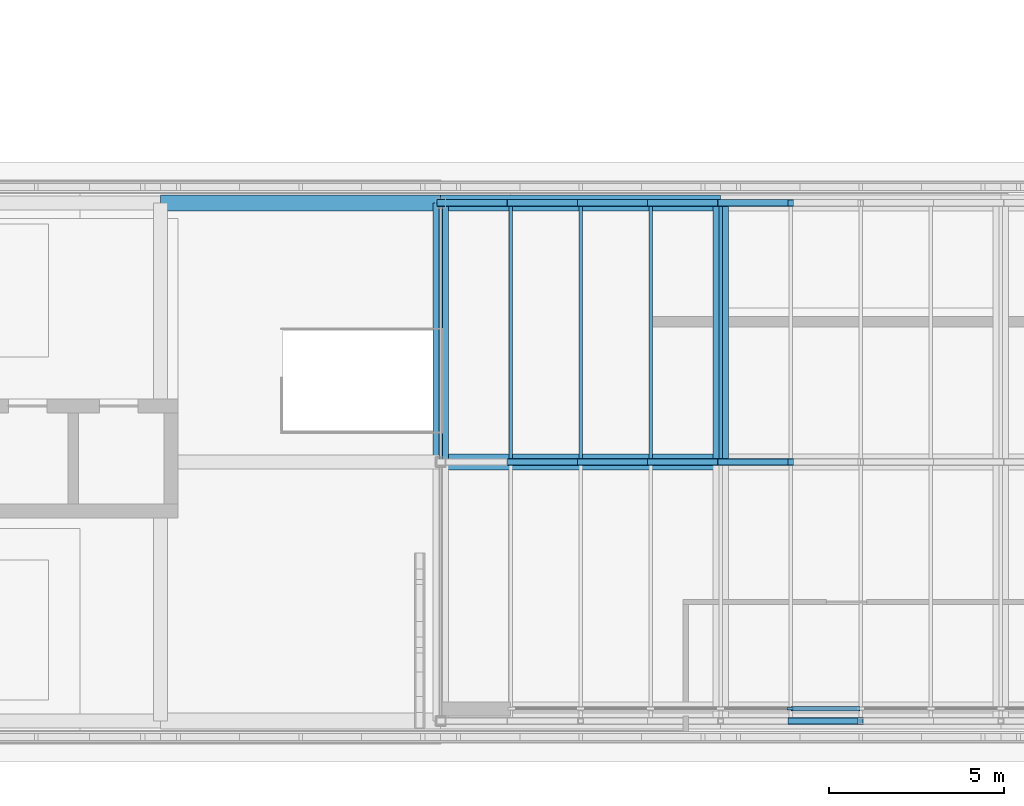
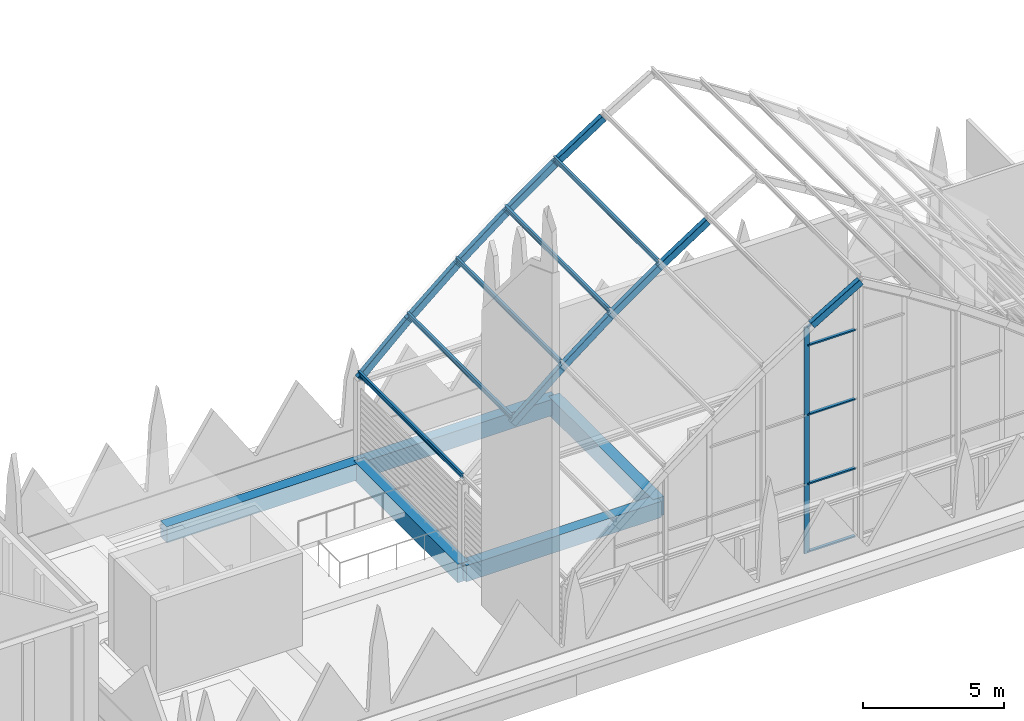
# One storey, part 4 of 18: 21 members, 5 beams, 1 element without a shape of its own.
"""IFC4 building model written with IfcOpenShell, lengths in metres."""

from ifc_helpers import new_model, si_unit, direction, frame, origin, origin_2d, place, context, subcontext, project, spatial, rectangle, hollow_rectangle, i_section, extrude, material, layer, layer_set, material_profile, profile_set, type_object, element, aggregate, save


model = new_model("IFC4")

# Units and contexts
model_context = context("Model", 3, precision=1e-05, world=origin(), true_north=direction((0.0, 1.0)))
body_context = subcontext(model_context, "Body", "Model", "MODEL_VIEW")
ifc_project = project(units=[si_unit("LENGTHUNIT", "METRE"), si_unit("AREAUNIT", "SQUARE_METRE"), si_unit("VOLUMEUNIT", "CUBIC_METRE"), si_unit("PLANEANGLEUNIT", "RADIAN"), si_unit("MASSUNIT", "GRAM", prefix="KILO")], contexts=[model_context])

# Site, building, storey
site_placement = place(None, origin())
site = spatial("IfcSite", under=ifc_project, at=site_placement, CompositionType="ELEMENT")
building_placement = place(site_placement, origin())
building = spatial("IfcBuilding", under=site, at=building_placement, Name="Lantern Court Media Centre", CompositionType="ELEMENT")
storey_placement = place(building_placement, frame((0.0, 0.0, 33.60009765625)))
storey = spatial("IfcBuildingStorey", under=building, at=storey_placement, Name="R00", CompositionType="ELEMENT", Elevation=33.60009765625)

# Curtain wall, members
ifc_material_1 = material(Name="Aluminium and glass", Category="aluminium")
ifc_layer = layer(ifc_material_1, 0.14990234375)
ifc_layer_set = layer_set([ifc_layer], Name="Aluminium and glass")
curtain_wall_type = type_object("IfcCurtainWallType", Name="Hall lancet glazing", PredefinedType="NOTDEFINED", material=ifc_layer_set)
curtain_wall_placement = place(storey_placement, origin())
curtain_wall = element("IfcCurtainWall", 1, at=curtain_wall_placement, inside=storey, type_object=curtain_wall_type, Name="Terrace pavilion HCW-V30 glazing", PredefinedType="NOTDEFINED")
ifc_material_2 = material(Name="Aluminium, anodised", Category="aluminium")
ifc_material_profile_1 = material_profile(ifc_material_2, rectangle(XDim=0.06005859375, YDim=0.199951171875, at=origin_2d()), Name="HM")
ifc_profile_set_1 = profile_set([ifc_material_profile_1], Name="Aluminium, anodised")
member_type_1 = type_object("IfcMemberType", Name="HM", PredefinedType="MULLION", material=ifc_profile_set_1)
member_1_placement = place(storey_placement, frame((50.0, 42.949951171875, 1.199951171875), z_axis=(0.0, 0.0, 1.0), x_axis=(0.0, 1.0, 0.0)))
member_1 = element("IfcMember", 2, at=member_1_placement, type_object=member_type_1, Name="HCW-V30 mullion 5", PredefinedType="MULLION", context=body_context, shape_type="SweptSolid", body=[
    extrude(rectangle(XDim=0.06005859375, YDim=0.199951171875, at=origin_2d()), origin(), (0.0, 0.0, 1.0), 9.8076171875),
])
ifc_material_profile_2 = material_profile(ifc_material_2, rectangle(XDim=0.1201171875, YDim=0.06005859375, at=origin_2d()), Name="HT")
ifc_profile_set_2 = profile_set([ifc_material_profile_2], Name="Aluminium, anodised")
member_type_2 = type_object("IfcMemberType", Name="HT", PredefinedType="USERDEFINED", material=ifc_profile_set_2)
member_2_placement = place(storey_placement, frame((50.030029296875, 42.949951171875, 1.260009765625), z_axis=(1.0, 0.0, 0.0), x_axis=(0.0, 1.0, 0.0)))
member_2 = element("IfcMember", 3, at=member_2_placement, type_object=member_type_2, Name="HCW-V30 transom 5.1", ObjectType="TRANSOM", PredefinedType="USERDEFINED", context=body_context, shape_type="SweptSolid", body=[
    extrude(rectangle(XDim=0.1201171875, YDim=0.06005859375, at=origin_2d()), origin(), (0.0, 0.0, 1.0), 1.93994140625),
])
member_3_placement = place(storey_placement, frame((50.030029296875, 42.949951171875, 4.199951171875), z_axis=(1.0, 0.0, 0.0), x_axis=(0.0, 1.0, 0.0)))
member_3 = element("IfcMember", 4, at=member_3_placement, type_object=member_type_2, Name="HCW-V30 transom 5.2", ObjectType="TRANSOM", PredefinedType="USERDEFINED", context=body_context, shape_type="SweptSolid", body=[
    extrude(rectangle(XDim=0.1201171875, YDim=0.06005859375, at=origin_2d()), origin(), (0.0, 0.0, 1.0), 1.93994140625),
])
member_4_placement = place(storey_placement, frame((50.030029296875, 42.949951171875, 7.199951171875), z_axis=(1.0, 0.0, 0.0), x_axis=(0.0, 1.0, 0.0)))
member_4 = element("IfcMember", 5, at=member_4_placement, type_object=member_type_2, Name="HCW-V30 transom 5.3", ObjectType="TRANSOM", PredefinedType="USERDEFINED", context=body_context, shape_type="SweptSolid", body=[
    extrude(rectangle(XDim=0.1201171875, YDim=0.06005859375, at=origin_2d()), origin(), (0.0, 0.0, 1.0), 1.93994140625),
])
member_5_placement = place(storey_placement, frame((50.030029296875, 42.949951171875, 10.199951171875), z_axis=(1.0, 0.0, 0.0), x_axis=(0.0, 1.0, 0.0)))
member_5 = element("IfcMember", 6, at=member_5_placement, type_object=member_type_2, Name="HCW-V30 transom 5.4", ObjectType="TRANSOM", PredefinedType="USERDEFINED", context=body_context, shape_type="SweptSolid", body=[
    extrude(rectangle(XDim=0.1201171875, YDim=0.06005859375, at=origin_2d()), origin(), (0.0, 0.0, 1.0), 1.93994140625),
])
member_6_placement = place(storey_placement, frame((50.030029296875, 42.949951171875, 10.96630859375), z_axis=(0.858948802878, 0.0, 0.512061474859), x_axis=(0.0, 1.0, 0.0)))
member_6 = element("IfcMember", 7, at=member_6_placement, type_object=member_type_2, Name="HCW-V30 head member 5", ObjectType="TRANSOM", PredefinedType="USERDEFINED", context=body_context, shape_type="SweptSolid", body=[
    extrude(rectangle(XDim=0.1201171875, YDim=0.06005859375, at=origin_2d()), origin(), (0.0, 0.0, 1.0), 2.258544921875),
])
aggregate(curtain_wall, [member_1, member_2, member_3, member_4, member_5, member_6])

# Members
ifc_material_3 = material(Name="Steel S355J2 (EN 10025-2)", Category="steel")
ifc_material_profile_3 = material_profile(ifc_material_3, hollow_rectangle(XDim=0.199951171875, YDim=0.300048828125, WallThickness=0.010009765625, InnerFilletRadius=0.010009765625, OuterFilletRadius=0.014892578125, at=origin_2d()), Name="Pavilion arch RHS 300x200x10")
ifc_profile_set_3 = profile_set([ifc_material_profile_3], Name="Steel S355J2 (EN 10025-2)")
member_type_3 = type_object("IfcMemberType", Name="Pavilion arch RHS 300x200x10", PredefinedType="RAFTER", material=ifc_profile_set_3)
member_7_placement = place(storey_placement, frame((50.0, 42.60009765625, 11.3076171875), z_axis=(0.858932784057, 0.0, 0.512088344401), x_axis=(0.0, 1.0, 0.0)))
element("IfcMember", 8, at=member_7_placement, inside=storey, type_object=member_type_3, Name="Pavilion arch 1 segment 6", PredefinedType="RAFTER", context=body_context, shape_type="SweptSolid", body=[
    extrude(hollow_rectangle(XDim=0.199951171875, YDim=0.300048828125, WallThickness=0.010009765625, InnerFilletRadius=0.010009765625, OuterFilletRadius=0.014892578125, at=origin_2d()), origin(), (0.0, 0.0, 1.0), 2.328369140625),
])
member_8_placement = place(storey_placement, frame((42.0, 50.0, 5.3486328125), z_axis=(0.763785766205, 0.0, 0.645469831474), x_axis=(0.0, 1.0, 0.0)))
element("IfcMember", 9, at=member_8_placement, inside=storey, type_object=member_type_3, Name="Pavilion arch 2 segment 2", PredefinedType="RAFTER", context=body_context, shape_type="SweptSolid", body=[
    extrude(hollow_rectangle(XDim=0.199951171875, YDim=0.300048828125, WallThickness=0.010009765625, InnerFilletRadius=0.010009765625, OuterFilletRadius=0.014892578125, at=origin_2d()), origin(), (0.0, 0.0, 1.0), 2.61865234375),
])
member_9_placement = place(storey_placement, frame((44.0, 50.0, 7.038818359375), z_axis=(0.790779474833, 0.0, 0.612101153554), x_axis=(0.0, 1.0, 0.0)))
element("IfcMember", 10, at=member_9_placement, inside=storey, type_object=member_type_3, Name="Pavilion arch 2 segment 3", PredefinedType="RAFTER", context=body_context, shape_type="SweptSolid", body=[
    extrude(hollow_rectangle(XDim=0.199951171875, YDim=0.300048828125, WallThickness=0.010009765625, InnerFilletRadius=0.010009765625, OuterFilletRadius=0.014892578125, at=origin_2d()), origin(), (0.0, 0.0, 1.0), 2.529052734375),
])
member_10_placement = place(storey_placement, frame((46.0, 50.0, 8.5869140625), z_axis=(0.815538972935, 0.0, 0.578702154501), x_axis=(0.0, 1.0, 0.0)))
element("IfcMember", 11, at=member_10_placement, inside=storey, type_object=member_type_3, Name="Pavilion arch 2 segment 4", PredefinedType="RAFTER", context=body_context, shape_type="SweptSolid", body=[
    extrude(hollow_rectangle(XDim=0.199951171875, YDim=0.300048828125, WallThickness=0.010009765625, InnerFilletRadius=0.010009765625, OuterFilletRadius=0.014892578125, at=origin_2d()), origin(), (0.0, 0.0, 1.0), 2.452392578125),
])
member_11_placement = place(storey_placement, frame((48.0, 50.0, 10.006103515625), z_axis=(0.838153638931, 0.0, 0.5454342101), x_axis=(0.0, 1.0, 0.0)))
element("IfcMember", 12, at=member_11_placement, inside=storey, type_object=member_type_3, Name="Pavilion arch 2 segment 5", PredefinedType="RAFTER", context=body_context, shape_type="SweptSolid", body=[
    extrude(hollow_rectangle(XDim=0.199951171875, YDim=0.300048828125, WallThickness=0.010009765625, InnerFilletRadius=0.010009765625, OuterFilletRadius=0.014892578125, at=origin_2d()), origin(), (0.0, 0.0, 1.0), 2.38623046875),
])
member_12_placement = place(storey_placement, frame((40.0, 57.39990234375, 3.5), z_axis=(0.73434962729, 0.0, 0.678771408428), x_axis=(0.0, 1.0, 0.0)))
element("IfcMember", 13, at=member_12_placement, inside=storey, type_object=member_type_3, Name="Pavilion arch 3 segment 1", PredefinedType="RAFTER", context=body_context, shape_type="SweptSolid", body=[
    extrude(hollow_rectangle(XDim=0.199951171875, YDim=0.300048828125, WallThickness=0.010009765625, InnerFilletRadius=0.010009765625, OuterFilletRadius=0.014892578125, at=origin_2d()), origin(), (0.0, 0.0, 1.0), 2.723388671875),
])
member_13_placement = place(storey_placement, frame((42.0, 57.39990234375, 5.3486328125), z_axis=(0.763785766205, 0.0, 0.645469831474), x_axis=(0.0, 1.0, 0.0)))
element("IfcMember", 14, at=member_13_placement, inside=storey, type_object=member_type_3, Name="Pavilion arch 3 segment 2", PredefinedType="RAFTER", context=body_context, shape_type="SweptSolid", body=[
    extrude(hollow_rectangle(XDim=0.199951171875, YDim=0.300048828125, WallThickness=0.010009765625, InnerFilletRadius=0.010009765625, OuterFilletRadius=0.014892578125, at=origin_2d()), origin(), (0.0, 0.0, 1.0), 2.61865234375),
])
member_14_placement = place(storey_placement, frame((44.0, 57.39990234375, 7.038818359375), z_axis=(0.790779474833, 0.0, 0.612101153554), x_axis=(0.0, 1.0, 0.0)))
element("IfcMember", 15, at=member_14_placement, inside=storey, type_object=member_type_3, Name="Pavilion arch 3 segment 3", PredefinedType="RAFTER", context=body_context, shape_type="SweptSolid", body=[
    extrude(hollow_rectangle(XDim=0.199951171875, YDim=0.300048828125, WallThickness=0.010009765625, InnerFilletRadius=0.010009765625, OuterFilletRadius=0.014892578125, at=origin_2d()), origin(), (0.0, 0.0, 1.0), 2.529052734375),
])
member_15_placement = place(storey_placement, frame((46.0, 57.39990234375, 8.5869140625), z_axis=(0.815538972935, 0.0, 0.578702154501), x_axis=(0.0, 1.0, 0.0)))
element("IfcMember", 16, at=member_15_placement, inside=storey, type_object=member_type_3, Name="Pavilion arch 3 segment 4", PredefinedType="RAFTER", context=body_context, shape_type="SweptSolid", body=[
    extrude(hollow_rectangle(XDim=0.199951171875, YDim=0.300048828125, WallThickness=0.010009765625, InnerFilletRadius=0.010009765625, OuterFilletRadius=0.014892578125, at=origin_2d()), origin(), (0.0, 0.0, 1.0), 2.452392578125),
])
member_16_placement = place(storey_placement, frame((48.0, 57.39990234375, 10.006103515625), z_axis=(0.838153638931, 0.0, 0.5454342101), x_axis=(0.0, 1.0, 0.0)))
element("IfcMember", 17, at=member_16_placement, inside=storey, type_object=member_type_3, Name="Pavilion arch 3 segment 5", PredefinedType="RAFTER", context=body_context, shape_type="SweptSolid", body=[
    extrude(hollow_rectangle(XDim=0.199951171875, YDim=0.300048828125, WallThickness=0.010009765625, InnerFilletRadius=0.010009765625, OuterFilletRadius=0.014892578125, at=origin_2d()), origin(), (0.0, 0.0, 1.0), 2.38623046875),
])
ifc_material_profile_4 = material_profile(ifc_material_3, i_section(OverallWidth=0.10009765625, OverallDepth=0.199951171875, WebThickness=0.005615234375, FlangeThickness=0.008544921875, FilletRadius=0.011962890625, at=origin_2d()), Name="IPE 200")
ifc_profile_set_4 = profile_set([ifc_material_profile_4], Name="Steel S355J2 (EN 10025-2)")
member_type_4 = type_object("IfcMemberType", Name="Pavilion purlin IPE 200", PredefinedType="PURLIN", material=ifc_profile_set_4)
for number, where, z_axis, x_axis, name in (
    (18, (40.0, 50.0, 3.75), (0.0, 1.0, 0.0), (-1.0, 0.0, 0.0), "Pavilion purlin 1-2"),
    (19, (42.0, 50.0, 5.5986328125), (0.0, 1.0, 0.0), (-1.0, 0.0, 0.0), "Pavilion purlin 2-2"),
    (20, (44.0, 50.0, 7.288818359375), (0.0, 1.0, 0.0), (-1.0, 0.0, 0.0), "Pavilion purlin 3-2"),
    (21, (46.0, 50.0, 8.8369140625), (0.0, 1.0, 0.0), (-1.0, 0.0, 0.0), "Pavilion purlin 4-2"),
    (22, (48.0, 50.0, 10.256103515625), (0.0, 1.0, 0.0), (-1.0, 0.0, 0.0), "Pavilion purlin 5-2"),
):
    element("IfcMember", number, at=place(storey_placement, frame(where, z_axis=z_axis, x_axis=x_axis)), inside=storey, type_object=member_type_4, Name=name, PredefinedType="PURLIN", context=body_context, shape_type="SweptSolid", body=[
        extrude(i_section(OverallWidth=0.10009765625, OverallDepth=0.199951171875, WebThickness=0.005615234375, FlangeThickness=0.008544921875, FilletRadius=0.011962890625, at=origin_2d()), origin(), (0.0, 0.0, 1.0), 7.39990234375),
    ])

# Beams
ifc_material_4 = material(Name="Concrete C35", Category="concrete")
ifc_material_profile_5 = material_profile(ifc_material_4, rectangle(XDim=0.449951171875, YDim=0.699951171875, at=origin_2d()), Name="RC 450x700")
ifc_profile_set_5 = profile_set([ifc_material_profile_5], Name="Concrete C35")
beam_type_1 = type_object("IfcBeamType", Name="RC BEAM 450x700", PredefinedType="BEAM", material=ifc_profile_set_5)
for number, where, z_axis, x_axis, name in (
    (23, (40.0, 50.0, -0.35009765625), (1.0, 0.0, 0.0), (0.0, 1.0, 0.0), "LB-S-R00-1-2"),
    (24, (32.0, 57.39990234375, -0.35009765625), (1.0, 0.0, 0.0), (0.0, 1.0, 0.0), "LB-S-R00-2-1"),
    (25, (40.0, 57.39990234375, -0.35009765625), (1.0, 0.0, 0.0), (0.0, 1.0, 0.0), "LB-S-R00-2-2"),
):
    element("IfcBeam", number, at=place(storey_placement, frame(where, z_axis=z_axis, x_axis=x_axis)), inside=storey, type_object=beam_type_1, Name=name, PredefinedType="BEAM", context=body_context, shape_type="SweptSolid", body=[
        extrude(rectangle(XDim=0.449951171875, YDim=0.699951171875, at=origin_2d()), origin(), (0.0, 0.0, 1.0), 8.0),
    ])
ifc_material_profile_6 = material_profile(ifc_material_4, rectangle(XDim=0.449951171875, YDim=0.800048828125, at=origin_2d()), Name="RC 450x800")
ifc_profile_set_6 = profile_set([ifc_material_profile_6], Name="Concrete C35")
beam_type_2 = type_object("IfcBeamType", Name="RC BEAM 450x800", PredefinedType="BEAM", material=ifc_profile_set_6)
for number, where, z_axis, x_axis, name in (
    (26, (40.0, 50.0, -0.400146484375), (0.0, 1.0, 0.0), (-1.0, 0.0, 0.0), "TB-S-R00-2-2"),
    (27, (48.0, 50.0, -0.400146484375), (0.0, 1.0, 0.0), (-1.0, 0.0, 0.0), "TB-S-R00-3-2"),
):
    element("IfcBeam", number, at=place(storey_placement, frame(where, z_axis=z_axis, x_axis=x_axis)), inside=storey, type_object=beam_type_2, Name=name, PredefinedType="BEAM", context=body_context, shape_type="SweptSolid", body=[
        extrude(rectangle(XDim=0.449951171875, YDim=0.800048828125, at=origin_2d()), origin(), (0.0, 0.0, 1.0), 7.39990234375),
    ])

save(model, "model.ifc")
